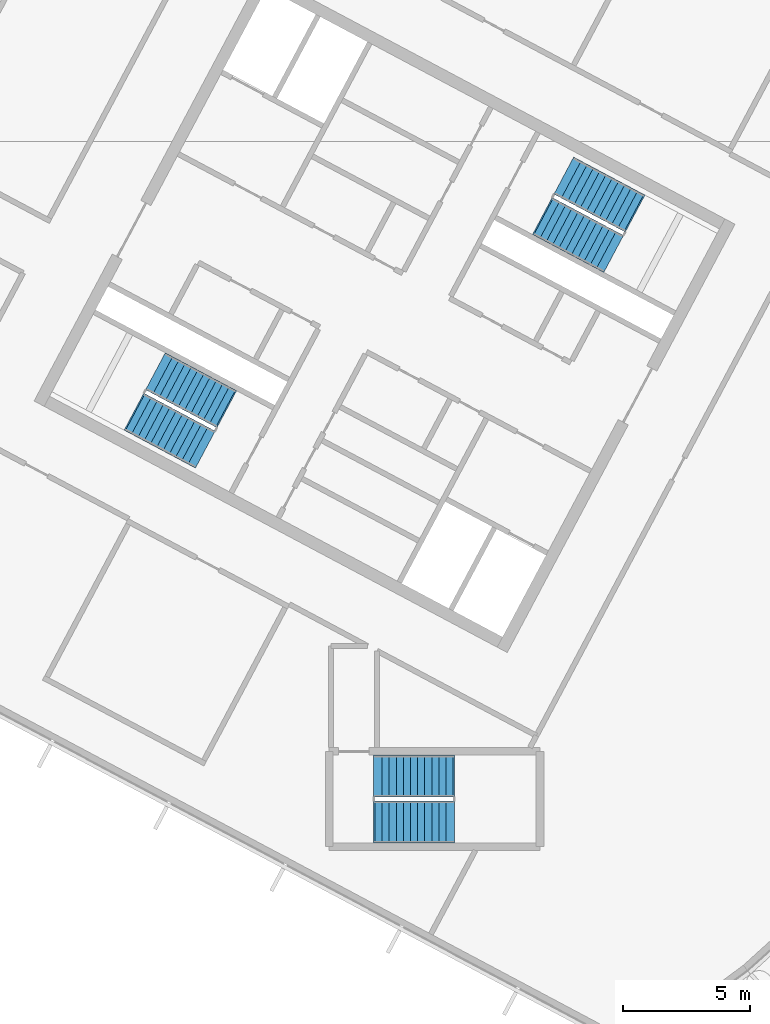
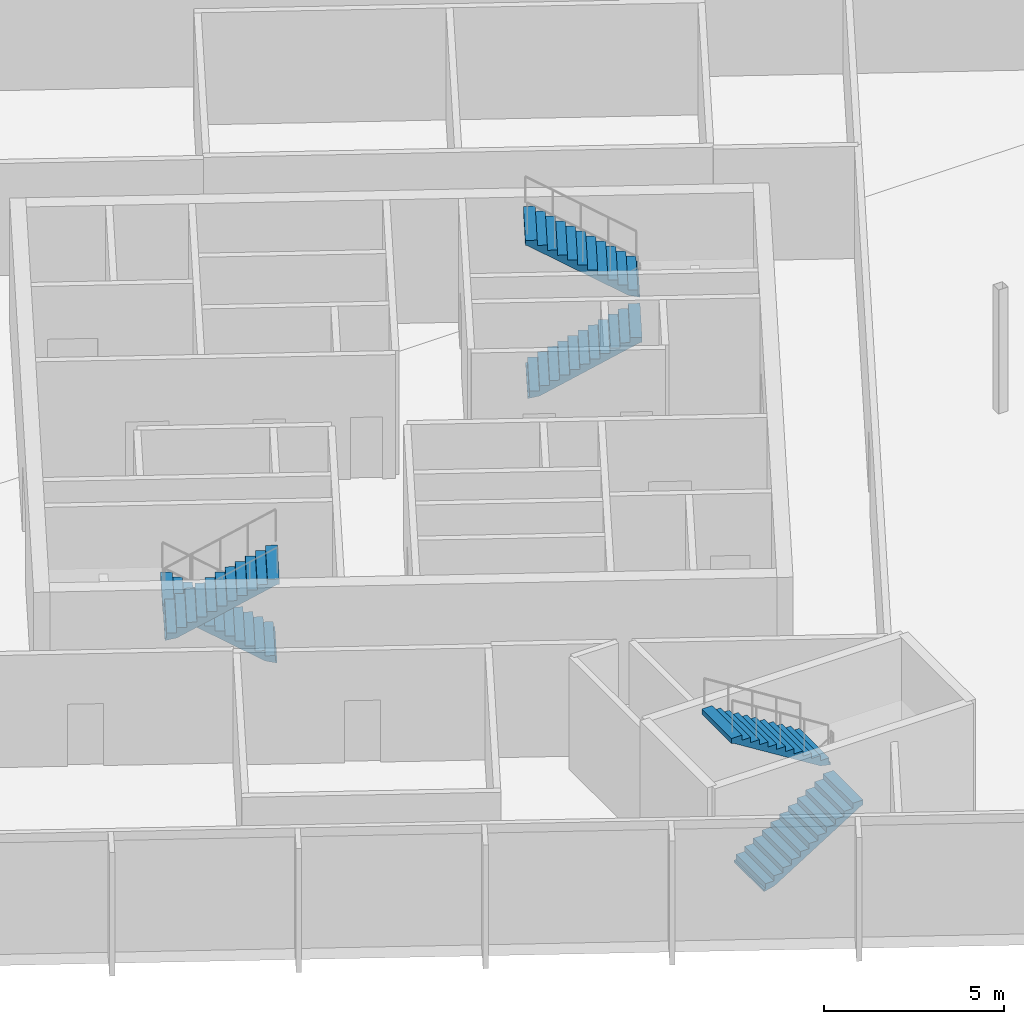
# One storey, part 9 of 15: 6 stair flights, 3 elements without a shape of their own.
"""IFC4 building model written with IfcOpenShell, lengths in metres."""

from ifc_helpers import new_model, si_unit, direction, frame, origin, place, context, subcontext, project, spatial, polyline, outline, extrude, material, type_object, element, aggregate, save


model = new_model("IFC4")

# Units and contexts
model_context = context("Model", 3, precision=1e-05, world=origin(), true_north=direction((0.0, 1.0)))
body_context = subcontext(model_context, "Body", "Model", "MODEL_VIEW")
ifc_project = project(units=[si_unit("LENGTHUNIT", "METRE"), si_unit("AREAUNIT", "SQUARE_METRE"), si_unit("VOLUMEUNIT", "CUBIC_METRE"), si_unit("PLANEANGLEUNIT", "RADIAN"), si_unit("MASSUNIT", "GRAM", prefix="KILO")], contexts=[model_context])

# Site, building, storey
site_placement = place(None, origin())
site = spatial("IfcSite", under=ifc_project, at=site_placement, CompositionType="ELEMENT")
building_placement = place(site_placement, origin())
building = spatial("IfcBuilding", under=site, at=building_placement, Name="Cormorant Relay Tower", CompositionType="ELEMENT")
storey_placement = place(building_placement, frame((0.0, 0.0, 336.60009765625)))
storey = spatial("IfcBuildingStorey", under=building, at=storey_placement, Name="C3", CompositionType="ELEMENT", Elevation=336.60009765625)

# Stair, stair flights
ifc_material_1 = material(Name="Concrete 40 MPa", Category="concrete")
stair_type = type_object("IfcStairType", Name="Exit stair 1500", PredefinedType="HALF_TURN_STAIR", material=ifc_material_1)
stair_1_placement = place(storey_placement, origin())
stair_1 = element("IfcStair", 1, at=stair_1_placement, inside=storey, type_object=stair_type, Name="C3 Stair", PredefinedType="HALF_TURN_STAIR")
ifc_material_2 = material(Name="Concrete 40 MPa", Category="concrete")
stair_flight_type = type_object("IfcStairFlightType", Name="Exit stair flight 1650", PredefinedType="STRAIGHT", material=ifc_material_2)
stair_flight_1_placement = place(storey_placement, frame((-21.114501953125, 18.33349609375, 0.0), z_axis=(0.0, 0.0, 1.0), x_axis=(0.882947592859, -0.469471562786, 0.0)))
stair_flight_1 = element("IfcStairFlight", 2, at=stair_flight_1_placement, type_object=stair_flight_type, Name="A1 flight 1", NumberOfRisers=12, NumberOfTreads=11, PredefinedType="STRAIGHT", RiserHeight=0.175, TreadLength=0.28, context=body_context, shape_type="SweptSolid", body=[
    extrude(outline(polyline([(-0.050048828125, -0.080078125), (-0.050048828125, 0.0), (0.0, 0.0), (0.0, 0.175048828125), (0.280029296875, 0.175048828125), (0.280029296875, 0.35009765625), (0.56005859375, 0.35009765625), (0.56005859375, 0.52490234375), (0.840087890625, 0.52490234375), (0.840087890625, 0.699951171875), (1.1201171875, 0.699951171875), (1.1201171875, 0.875), (1.39990234375, 0.875), (1.39990234375, 1.050048828125), (1.679931640625, 1.050048828125), (1.679931640625, 1.22509765625), (1.9599609375, 1.22509765625), (1.9599609375, 1.39990234375), (2.239990234375, 1.39990234375), (2.239990234375, 1.574951171875), (2.52001953125, 1.574951171875), (2.52001953125, 1.75), (2.800048828125, 1.75), (2.800048828125, 1.925048828125), (3.080078125, 1.925048828125), (3.130126953125, 1.925048828125), (3.130126953125, 1.748291015625), (3.080078125, 1.748291015625), (0.28271484375, 0.0), (-0.050048828125, -0.080078125)])), frame((0.0, 0.824951171875, 0.0), z_axis=(0.0, -1.0, 0.0), x_axis=(1.0, 0.0, 0.0)), (0.0, 0.0, 1.0), 1.64990234375),
])
stair_flight_2_placement = place(storey_placement, frame((-17.5498046875, 18.47705078125, 2.099853515625), z_axis=(0.0, 0.0, 1.0), x_axis=(-0.882947592859, 0.469471562786, 0.0)))
stair_flight_2 = element("IfcStairFlight", 3, at=stair_flight_2_placement, type_object=stair_flight_type, Name="A1 flight 2", NumberOfRisers=12, NumberOfTreads=11, PredefinedType="STRAIGHT", RiserHeight=0.175, TreadLength=0.28, context=body_context, shape_type="SweptSolid", body=[
    extrude(outline(polyline([(-0.050048828125, -0.080078125), (-0.050048828125, 0.0), (0.0, 0.0), (0.0, 0.175048828125), (0.280029296875, 0.175048828125), (0.280029296875, 0.35009765625), (0.56005859375, 0.35009765625), (0.56005859375, 0.52490234375), (0.840087890625, 0.52490234375), (0.840087890625, 0.699951171875), (1.1201171875, 0.699951171875), (1.1201171875, 0.875), (1.39990234375, 0.875), (1.39990234375, 1.050048828125), (1.679931640625, 1.050048828125), (1.679931640625, 1.22509765625), (1.9599609375, 1.22509765625), (1.9599609375, 1.39990234375), (2.239990234375, 1.39990234375), (2.239990234375, 1.574951171875), (2.52001953125, 1.574951171875), (2.52001953125, 1.75), (2.800048828125, 1.75), (2.800048828125, 1.925048828125), (3.080078125, 1.925048828125), (3.130126953125, 1.925048828125), (3.130126953125, 1.748291015625), (3.080078125, 1.748291015625), (0.28271484375, 0.0), (-0.050048828125, -0.080078125)])), frame((0.0, 0.824951171875, 0.0), z_axis=(0.0, -1.0, 0.0), x_axis=(1.0, 0.0, 0.0)), (0.0, 0.0, 1.0), 1.64990234375),
])
aggregate(stair_1, [stair_flight_1, stair_flight_2])

stair_2_placement = place(storey_placement, origin())
stair_2 = element("IfcStair", 4, at=stair_2_placement, inside=storey, type_object=stair_type, Name="C3 Stair", PredefinedType="HALF_TURN_STAIR")
stair_flight_3_placement = place(storey_placement, frame((-33.62841796875, 10.773681640625, 0.0), z_axis=(0.0, 0.0, 1.0), x_axis=(-0.882947592859, 0.469471562786, 0.0)))
stair_flight_3 = element("IfcStairFlight", 5, at=stair_flight_3_placement, type_object=stair_flight_type, Name="A2 flight 1", NumberOfRisers=12, NumberOfTreads=11, PredefinedType="STRAIGHT", RiserHeight=0.175, TreadLength=0.28, context=body_context, shape_type="SweptSolid", body=[
    extrude(outline(polyline([(-0.050048828125, -0.080078125), (-0.050048828125, 0.0), (0.0, 0.0), (0.0, 0.175048828125), (0.280029296875, 0.175048828125), (0.280029296875, 0.35009765625), (0.56005859375, 0.35009765625), (0.56005859375, 0.52490234375), (0.840087890625, 0.52490234375), (0.840087890625, 0.699951171875), (1.1201171875, 0.699951171875), (1.1201171875, 0.875), (1.39990234375, 0.875), (1.39990234375, 1.050048828125), (1.679931640625, 1.050048828125), (1.679931640625, 1.22509765625), (1.9599609375, 1.22509765625), (1.9599609375, 1.39990234375), (2.239990234375, 1.39990234375), (2.239990234375, 1.574951171875), (2.52001953125, 1.574951171875), (2.52001953125, 1.75), (2.800048828125, 1.75), (2.800048828125, 1.925048828125), (3.080078125, 1.925048828125), (3.130126953125, 1.925048828125), (3.130126953125, 1.748291015625), (3.080078125, 1.748291015625), (0.28271484375, 0.0), (-0.050048828125, -0.080078125)])), frame((0.0, 0.824951171875, 0.0), z_axis=(0.0, -1.0, 0.0), x_axis=(1.0, 0.0, 0.0)), (0.0, 0.0, 1.0), 1.64990234375),
])
stair_flight_4_placement = place(storey_placement, frame((-37.19287109375, 10.63037109375, 2.099853515625), z_axis=(0.0, 0.0, 1.0), x_axis=(0.882947592859, -0.469471562786, 0.0)))
stair_flight_4 = element("IfcStairFlight", 6, at=stair_flight_4_placement, type_object=stair_flight_type, Name="A2 flight 2", NumberOfRisers=12, NumberOfTreads=11, PredefinedType="STRAIGHT", RiserHeight=0.175, TreadLength=0.28, context=body_context, shape_type="SweptSolid", body=[
    extrude(outline(polyline([(-0.050048828125, -0.080078125), (-0.050048828125, 0.0), (0.0, 0.0), (0.0, 0.175048828125), (0.280029296875, 0.175048828125), (0.280029296875, 0.35009765625), (0.56005859375, 0.35009765625), (0.56005859375, 0.52490234375), (0.840087890625, 0.52490234375), (0.840087890625, 0.699951171875), (1.1201171875, 0.699951171875), (1.1201171875, 0.875), (1.39990234375, 0.875), (1.39990234375, 1.050048828125), (1.679931640625, 1.050048828125), (1.679931640625, 1.22509765625), (1.9599609375, 1.22509765625), (1.9599609375, 1.39990234375), (2.239990234375, 1.39990234375), (2.239990234375, 1.574951171875), (2.52001953125, 1.574951171875), (2.52001953125, 1.75), (2.800048828125, 1.75), (2.800048828125, 1.925048828125), (3.080078125, 1.925048828125), (3.130126953125, 1.925048828125), (3.130126953125, 1.748291015625), (3.080078125, 1.748291015625), (0.28271484375, 0.0), (-0.050048828125, -0.080078125)])), frame((0.0, 0.824951171875, 0.0), z_axis=(0.0, -1.0, 0.0), x_axis=(1.0, 0.0, 0.0)), (0.0, 0.0, 1.0), 1.64990234375),
])
aggregate(stair_2, [stair_flight_3, stair_flight_4])

stair_3_placement = place(storey_placement, origin())
stair_3 = element("IfcStair", 7, at=stair_3_placement, inside=storey, type_object=stair_type, Name="C3 Stair", PredefinedType="HALF_TURN_STAIR")
stair_flight_5_placement = place(storey_placement, frame((-27.75, -5.5, 0.0), z_axis=(0.0, 0.0, 1.0), x_axis=(1.0, 0.0, 0.0)))
stair_flight_5 = element("IfcStairFlight", 8, at=stair_flight_5_placement, type_object=stair_flight_type, Name="RC1 flight 1", NumberOfRisers=12, NumberOfTreads=11, PredefinedType="STRAIGHT", RiserHeight=0.175, TreadLength=0.28, context=body_context, shape_type="SweptSolid", body=[
    extrude(outline(polyline([(-0.050048828125, -0.080078125), (-0.050048828125, 0.0), (0.0, 0.0), (0.0, 0.175048828125), (0.280029296875, 0.175048828125), (0.280029296875, 0.35009765625), (0.56005859375, 0.35009765625), (0.56005859375, 0.52490234375), (0.840087890625, 0.52490234375), (0.840087890625, 0.699951171875), (1.1201171875, 0.699951171875), (1.1201171875, 0.875), (1.39990234375, 0.875), (1.39990234375, 1.050048828125), (1.679931640625, 1.050048828125), (1.679931640625, 1.22509765625), (1.9599609375, 1.22509765625), (1.9599609375, 1.39990234375), (2.239990234375, 1.39990234375), (2.239990234375, 1.574951171875), (2.52001953125, 1.574951171875), (2.52001953125, 1.75), (2.800048828125, 1.75), (2.800048828125, 1.925048828125), (3.080078125, 1.925048828125), (3.130126953125, 1.925048828125), (3.130126953125, 1.748291015625), (3.080078125, 1.748291015625), (0.28271484375, 0.0), (-0.050048828125, -0.080078125)])), frame((0.0, 0.824951171875, 0.0), z_axis=(0.0, -1.0, 0.0), x_axis=(1.0, 0.0, 0.0)), (0.0, 0.0, 1.0), 1.64990234375),
])
stair_flight_6_placement = place(storey_placement, frame((-24.669921875, -3.699951171875, 2.099853515625), z_axis=(0.0, 0.0, 1.0), x_axis=(-1.0, 0.0, 0.0)))
stair_flight_6 = element("IfcStairFlight", 9, at=stair_flight_6_placement, type_object=stair_flight_type, Name="RC1 flight 2", NumberOfRisers=12, NumberOfTreads=11, PredefinedType="STRAIGHT", RiserHeight=0.175, TreadLength=0.28, context=body_context, shape_type="SweptSolid", body=[
    extrude(outline(polyline([(-0.050048828125, -0.080078125), (-0.050048828125, 0.0), (0.0, 0.0), (0.0, 0.175048828125), (0.280029296875, 0.175048828125), (0.280029296875, 0.35009765625), (0.56005859375, 0.35009765625), (0.56005859375, 0.52490234375), (0.840087890625, 0.52490234375), (0.840087890625, 0.699951171875), (1.1201171875, 0.699951171875), (1.1201171875, 0.875), (1.39990234375, 0.875), (1.39990234375, 1.050048828125), (1.679931640625, 1.050048828125), (1.679931640625, 1.22509765625), (1.9599609375, 1.22509765625), (1.9599609375, 1.39990234375), (2.239990234375, 1.39990234375), (2.239990234375, 1.574951171875), (2.52001953125, 1.574951171875), (2.52001953125, 1.75), (2.800048828125, 1.75), (2.800048828125, 1.925048828125), (3.080078125, 1.925048828125), (3.130126953125, 1.925048828125), (3.130126953125, 1.748291015625), (3.080078125, 1.748291015625), (0.28271484375, 0.0), (-0.050048828125, -0.080078125)])), frame((0.0, 0.824951171875, 0.0), z_axis=(0.0, -1.0, 0.0), x_axis=(1.0, 0.0, 0.0)), (0.0, 0.0, 1.0), 1.64990234375),
])
aggregate(stair_3, [stair_flight_5, stair_flight_6])

save(model, "model.ifc")
